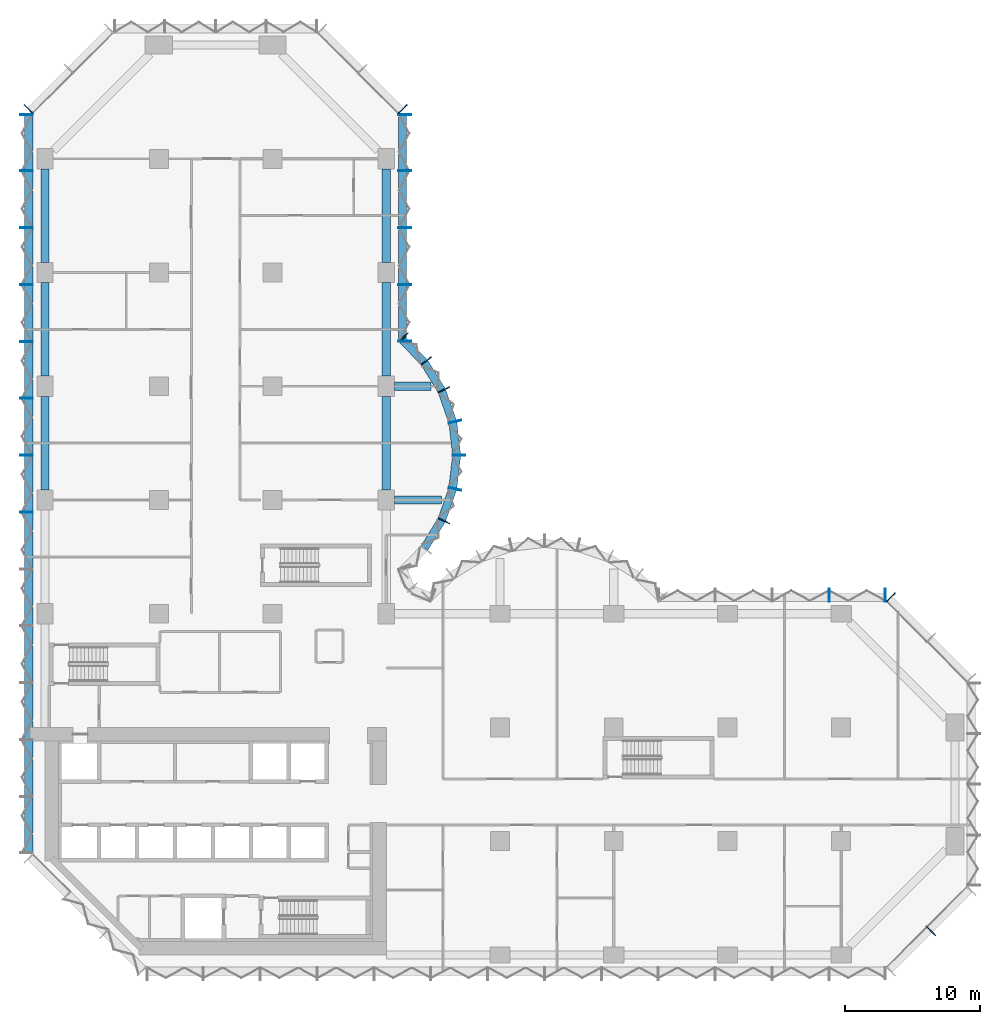
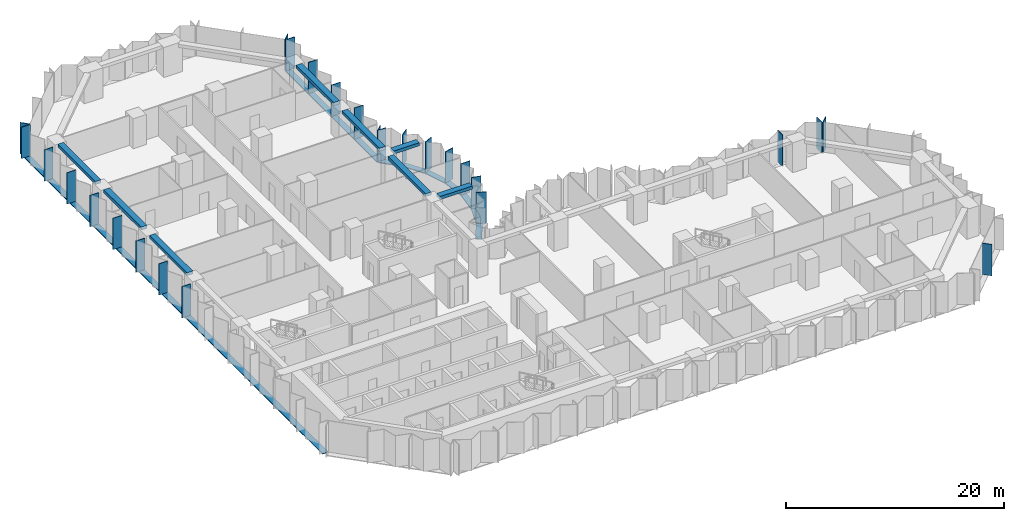
# One storey, part 3 of 15: 35 members, 8 beams, 8 elements without a shape of their own.
"""IFC4 building model written with IfcOpenShell, lengths in metres."""

from ifc_helpers import new_model, si_unit, direction, frame, origin, origin_2d, place, context, subcontext, project, spatial, rectangle, extrude, material, material_profile, profile_set, type_object, element, aggregate, save


model = new_model("IFC4")

# Units and contexts
model_context = context("Model", 3, precision=1e-05, world=origin(), true_north=direction((0.0, 1.0)))
body_context = subcontext(model_context, "Body", "Model", "MODEL_VIEW")
ifc_project = project(units=[si_unit("LENGTHUNIT", "METRE"), si_unit("AREAUNIT", "SQUARE_METRE"), si_unit("VOLUMEUNIT", "CUBIC_METRE"), si_unit("PLANEANGLEUNIT", "RADIAN"), si_unit("MASSUNIT", "GRAM", prefix="KILO")], contexts=[model_context])

# Site, building, storey
site_placement = place(None, origin())
site = spatial("IfcSite", under=ifc_project, at=site_placement, CompositionType="ELEMENT")
building_placement = place(site_placement, origin())
building = spatial("IfcBuilding", under=site, at=building_placement, Name="Brevane Broadcast Tower", CompositionType="ELEMENT")
storey_placement = place(building_placement, frame((0.0, 0.0, 47.300048828125)))
storey = spatial("IfcBuildingStorey", under=building, at=storey_placement, Name="L09", CompositionType="ELEMENT", Elevation=47.300048828125)

# Curtain wall, member
ifc_material_1 = material(Name="Aluminium 6063-T6 bronze anodised", Category="aluminium")
curtain_wall_type = type_object("IfcCurtainWallType", Name="CW-1 curtain wall", PredefinedType="NOTDEFINED", material=ifc_material_1)
curtain_wall_1_placement = place(storey_placement, origin())
curtain_wall_1 = element("IfcCurtainWall", 1, at=curtain_wall_1_placement, inside=storey, type_object=curtain_wall_type, Name="CW-1 typical tilted unit L09 south-east chamfer", PredefinedType="NOTDEFINED")
ifc_material_profile_1 = material_profile(ifc_material_1, rectangle(XDim=0.949951171875, YDim=0.070068359375, at=origin_2d()), Name="RECT 70x950")
ifc_profile_set_1 = profile_set([ifc_material_profile_1], Name="Aluminium 6063-T6 bronze anodised")
member_type_1 = type_object("IfcMemberType", Name="CW-1 mullion 70x950", PredefinedType="MULLION", material=ifc_profile_set_1)
member_1_placement = place(storey_placement, frame((65.435791015625, 1.76416015625, -0.150146484375), z_axis=(0.0, 0.0, 1.0), x_axis=(-0.707106781187, 0.707106781187, 0.0)))
member_1 = element("IfcMember", 2, at=member_1_placement, type_object=member_type_1, Name="CW-1 mullion", PredefinedType="MULLION", context=body_context, shape_type="SweptSolid", body=[
    extrude(rectangle(XDim=0.949951171875, YDim=0.070068359375, at=origin_2d()), origin(), (0.0, 0.0, 1.0), 3.5),
])
aggregate(curtain_wall_1, [member_1])

curtain_wall_2_placement = place(storey_placement, origin())
curtain_wall_2 = element("IfcCurtainWall", 3, at=curtain_wall_2_placement, inside=storey, type_object=curtain_wall_type, Name="CW-1 typical tilted unit L09 north-east chamfer", PredefinedType="NOTDEFINED")
member_2_placement = place(storey_placement, frame((62.460693359375, 26.4111328125, -0.150146484375), z_axis=(0.0, 0.0, 1.0), x_axis=(-0.707106781187, -0.707106781187, 0.0)))
member_2 = element("IfcMember", 4, at=member_2_placement, type_object=member_type_1, Name="CW-1 mullion", PredefinedType="MULLION", context=body_context, shape_type="SweptSolid", body=[
    extrude(rectangle(XDim=0.949951171875, YDim=0.070068359375, at=origin_2d()), origin(), (0.0, 0.0, 1.0), 3.5),
])
aggregate(curtain_wall_2, [member_2])

# Curtain wall, members
curtain_wall_3_placement = place(storey_placement, origin())
curtain_wall_3 = element("IfcCurtainWall", 5, at=curtain_wall_3_placement, inside=storey, type_object=curtain_wall_type, Name="CW-1 typical tilted unit L09 east arm north face", PredefinedType="NOTDEFINED")
member_3_placement = place(storey_placement, frame((62.06494140625, 26.574951171875, -0.150146484375), z_axis=(0.0, 0.0, 1.0), x_axis=(0.0, -1.0, 0.0)))
member_3 = element("IfcMember", 6, at=member_3_placement, type_object=member_type_1, Name="CW-1 mullion", PredefinedType="MULLION", context=body_context, shape_type="SweptSolid", body=[
    extrude(rectangle(XDim=0.949951171875, YDim=0.070068359375, at=origin_2d()), origin(), (0.0, 0.0, 1.0), 3.5),
])
member_4_placement = place(storey_placement, frame((57.89990234375, 26.574951171875, -0.150146484375), z_axis=(0.0, 0.0, 1.0), x_axis=(0.0, -1.0, 0.0)))
member_4 = element("IfcMember", 7, at=member_4_placement, type_object=member_type_1, Name="CW-1 mullion", PredefinedType="MULLION", context=body_context, shape_type="SweptSolid", body=[
    extrude(rectangle(XDim=0.949951171875, YDim=0.070068359375, at=origin_2d()), origin(), (0.0, 0.0, 1.0), 3.5),
])
aggregate(curtain_wall_3, [member_3, member_4])

curtain_wall_4_placement = place(storey_placement, origin())
curtain_wall_4 = element("IfcCurtainWall", 8, at=curtain_wall_4_placement, inside=storey, type_object=curtain_wall_type, Name="CW-1 typical tilted unit L09 north bow", PredefinedType="NOTDEFINED")
member_5_placement = place(storey_placement, frame((29.4580078125, 32.05322265625, -0.150146484375), z_axis=(0.0, 0.0, 1.0), x_axis=(-0.902860508933, 0.429933601163, 0.0)))
member_5 = element("IfcMember", 9, at=member_5_placement, type_object=member_type_1, Name="CW-1 mullion", PredefinedType="MULLION", context=body_context, shape_type="SweptSolid", body=[
    extrude(rectangle(XDim=0.949951171875, YDim=0.070068359375, at=origin_2d()), origin(), (0.0, 0.0, 1.0), 3.5),
])
member_6_placement = place(storey_placement, frame((30.28076171875, 34.411865234375, -0.150146484375), z_axis=(0.0, 0.0, 1.0), x_axis=(-0.974403430594, 0.224806482215, 0.0)))
member_6 = element("IfcMember", 10, at=member_6_placement, type_object=member_type_1, Name="CW-1 mullion", PredefinedType="MULLION", context=body_context, shape_type="SweptSolid", body=[
    extrude(rectangle(XDim=0.949951171875, YDim=0.070068359375, at=origin_2d()), origin(), (0.0, 0.0, 1.0), 3.5),
])
member_7_placement = place(storey_placement, frame((30.574951171875, 36.89990234375, -0.150146484375), z_axis=(0.0, 0.0, 1.0), x_axis=(-1.0, 0.0, 0.0)))
member_7 = element("IfcMember", 11, at=member_7_placement, type_object=member_type_1, Name="CW-1 mullion", PredefinedType="MULLION", context=body_context, shape_type="SweptSolid", body=[
    extrude(rectangle(XDim=0.949951171875, YDim=0.070068359375, at=origin_2d()), origin(), (0.0, 0.0, 1.0), 3.5),
])
member_8_placement = place(storey_placement, frame((30.28076171875, 39.38818359375, -0.150146484375), z_axis=(0.0, 0.0, 1.0), x_axis=(-0.974403430594, -0.224806482215, 0.0)))
member_8 = element("IfcMember", 12, at=member_8_placement, type_object=member_type_1, Name="CW-1 mullion", PredefinedType="MULLION", context=body_context, shape_type="SweptSolid", body=[
    extrude(rectangle(XDim=0.949951171875, YDim=0.070068359375, at=origin_2d()), origin(), (0.0, 0.0, 1.0), 3.5),
])
member_9_placement = place(storey_placement, frame((29.4580078125, 41.746826171875, -0.150146484375), z_axis=(0.0, 0.0, 1.0), x_axis=(-0.902860508933, -0.429933601163, 0.0)))
member_9 = element("IfcMember", 13, at=member_9_placement, type_object=member_type_1, Name="CW-1 mullion", PredefinedType="MULLION", context=body_context, shape_type="SweptSolid", body=[
    extrude(rectangle(XDim=0.949951171875, YDim=0.070068359375, at=origin_2d()), origin(), (0.0, 0.0, 1.0), 3.5),
])
member_10_placement = place(storey_placement, frame((28.1455078125, 43.8720703125, -0.150146484375), z_axis=(0.0, 0.0, 1.0), x_axis=(-0.788706642853, -0.614769738617, 0.0)))
member_10 = element("IfcMember", 14, at=member_10_placement, type_object=member_type_1, Name="CW-1 mullion", PredefinedType="MULLION", context=body_context, shape_type="SweptSolid", body=[
    extrude(rectangle(XDim=0.949951171875, YDim=0.070068359375, at=origin_2d()), origin(), (0.0, 0.0, 1.0), 3.5),
])
member_11_placement = place(storey_placement, frame((26.465087890625, 45.60595703125, -0.150146484375), z_axis=(0.0, 0.0, 1.0), x_axis=(-0.717253872699, -0.696811941702, 0.0)))
member_11 = element("IfcMember", 15, at=member_11_placement, type_object=member_type_1, Name="CW-1 mullion", PredefinedType="MULLION", context=body_context, shape_type="SweptSolid", body=[
    extrude(rectangle(XDim=0.949951171875, YDim=0.070068359375, at=origin_2d()), origin(), (0.0, 0.0, 1.0), 3.5),
])

curtain_wall_5_placement = place(storey_placement, origin())
curtain_wall_5 = element("IfcCurtainWall", 16, at=curtain_wall_5_placement, inside=storey, type_object=curtain_wall_type, Name="CW-1 typical tilted unit L09 north arm east face", PredefinedType="NOTDEFINED")
member_12_placement = place(storey_placement, frame((26.574951171875, 45.3349609375, -0.150146484375), z_axis=(0.0, 0.0, 1.0), x_axis=(-1.0, 0.0, 0.0)))
member_12 = element("IfcMember", 17, at=member_12_placement, type_object=member_type_1, Name="CW-1 mullion", PredefinedType="MULLION", context=body_context, shape_type="SweptSolid", body=[
    extrude(rectangle(XDim=0.949951171875, YDim=0.070068359375, at=origin_2d()), origin(), (0.0, 0.0, 1.0), 3.5),
])
member_13_placement = place(storey_placement, frame((26.574951171875, 49.5, -0.150146484375), z_axis=(0.0, 0.0, 1.0), x_axis=(-1.0, 0.0, 0.0)))
member_13 = element("IfcMember", 18, at=member_13_placement, type_object=member_type_1, Name="CW-1 mullion", PredefinedType="MULLION", context=body_context, shape_type="SweptSolid", body=[
    extrude(rectangle(XDim=0.949951171875, YDim=0.070068359375, at=origin_2d()), origin(), (0.0, 0.0, 1.0), 3.5),
])
member_14_placement = place(storey_placement, frame((26.574951171875, 53.699951171875, -0.150146484375), z_axis=(0.0, 0.0, 1.0), x_axis=(-1.0, 0.0, 0.0)))
member_14 = element("IfcMember", 19, at=member_14_placement, type_object=member_type_1, Name="CW-1 mullion", PredefinedType="MULLION", context=body_context, shape_type="SweptSolid", body=[
    extrude(rectangle(XDim=0.949951171875, YDim=0.070068359375, at=origin_2d()), origin(), (0.0, 0.0, 1.0), 3.5),
])
member_15_placement = place(storey_placement, frame((26.574951171875, 57.89990234375, -0.150146484375), z_axis=(0.0, 0.0, 1.0), x_axis=(-1.0, 0.0, 0.0)))
member_15 = element("IfcMember", 20, at=member_15_placement, type_object=member_type_1, Name="CW-1 mullion", PredefinedType="MULLION", context=body_context, shape_type="SweptSolid", body=[
    extrude(rectangle(XDim=0.949951171875, YDim=0.070068359375, at=origin_2d()), origin(), (0.0, 0.0, 1.0), 3.5),
])
member_16_placement = place(storey_placement, frame((26.574951171875, 62.06494140625, -0.150146484375), z_axis=(0.0, 0.0, 1.0), x_axis=(-1.0, 0.0, 0.0)))
member_16 = element("IfcMember", 21, at=member_16_placement, type_object=member_type_1, Name="CW-1 mullion", PredefinedType="MULLION", context=body_context, shape_type="SweptSolid", body=[
    extrude(rectangle(XDim=0.949951171875, YDim=0.070068359375, at=origin_2d()), origin(), (0.0, 0.0, 1.0), 3.5),
])

# Curtain wall, member
curtain_wall_6_placement = place(storey_placement, origin())
curtain_wall_6 = element("IfcCurtainWall", 22, at=curtain_wall_6_placement, inside=storey, type_object=curtain_wall_type, Name="CW-1 typical tilted unit L09 north arm north-east chamfer", PredefinedType="NOTDEFINED")
member_17_placement = place(storey_placement, frame((26.4111328125, 62.460693359375, -0.150146484375), z_axis=(0.0, 0.0, 1.0), x_axis=(-0.707106781187, -0.707106781187, 0.0)))
member_17 = element("IfcMember", 23, at=member_17_placement, type_object=member_type_1, Name="CW-1 mullion", PredefinedType="MULLION", context=body_context, shape_type="SweptSolid", body=[
    extrude(rectangle(XDim=0.949951171875, YDim=0.070068359375, at=origin_2d()), origin(), (0.0, 0.0, 1.0), 3.5),
])
aggregate(curtain_wall_6, [member_17])

curtain_wall_7_placement = place(storey_placement, origin())
curtain_wall_7 = element("IfcCurtainWall", 24, at=curtain_wall_7_placement, inside=storey, type_object=curtain_wall_type, Name="CW-1 typical tilted unit L09 north-west chamfer", PredefinedType="NOTDEFINED")
member_18_placement = place(storey_placement, frame((-1.211181640625, 62.460693359375, -0.150146484375), z_axis=(0.0, 0.0, 1.0), x_axis=(0.707106781187, -0.707106781187, 0.0)))
member_18 = element("IfcMember", 25, at=member_18_placement, type_object=member_type_1, Name="CW-1 mullion", PredefinedType="MULLION", context=body_context, shape_type="SweptSolid", body=[
    extrude(rectangle(XDim=0.949951171875, YDim=0.070068359375, at=origin_2d()), origin(), (0.0, 0.0, 1.0), 3.5),
])
aggregate(curtain_wall_7, [member_18])

# Curtain wall, members
curtain_wall_8_placement = place(storey_placement, origin())
curtain_wall_8 = element("IfcCurtainWall", 26, at=curtain_wall_8_placement, inside=storey, type_object=curtain_wall_type, Name="CW-1 typical tilted unit L09 west face", PredefinedType="NOTDEFINED")
member_19_placement = place(storey_placement, frame((-1.375, 62.06494140625, -0.150146484375), z_axis=(0.0, 0.0, 1.0), x_axis=(1.0, 0.0, 0.0)))
member_19 = element("IfcMember", 27, at=member_19_placement, type_object=member_type_1, Name="CW-1 mullion", PredefinedType="MULLION", context=body_context, shape_type="SweptSolid", body=[
    extrude(rectangle(XDim=0.949951171875, YDim=0.070068359375, at=origin_2d()), origin(), (0.0, 0.0, 1.0), 3.5),
])
member_20_placement = place(storey_placement, frame((-1.375, 57.89990234375, -0.150146484375), z_axis=(0.0, 0.0, 1.0), x_axis=(1.0, 0.0, 0.0)))
member_20 = element("IfcMember", 28, at=member_20_placement, type_object=member_type_1, Name="CW-1 mullion", PredefinedType="MULLION", context=body_context, shape_type="SweptSolid", body=[
    extrude(rectangle(XDim=0.949951171875, YDim=0.070068359375, at=origin_2d()), origin(), (0.0, 0.0, 1.0), 3.5),
])
member_21_placement = place(storey_placement, frame((-1.375, 53.699951171875, -0.150146484375), z_axis=(0.0, 0.0, 1.0), x_axis=(1.0, 0.0, 0.0)))
member_21 = element("IfcMember", 29, at=member_21_placement, type_object=member_type_1, Name="CW-1 mullion", PredefinedType="MULLION", context=body_context, shape_type="SweptSolid", body=[
    extrude(rectangle(XDim=0.949951171875, YDim=0.070068359375, at=origin_2d()), origin(), (0.0, 0.0, 1.0), 3.5),
])
member_22_placement = place(storey_placement, frame((-1.375, 49.5, -0.150146484375), z_axis=(0.0, 0.0, 1.0), x_axis=(1.0, 0.0, 0.0)))
member_22 = element("IfcMember", 30, at=member_22_placement, type_object=member_type_1, Name="CW-1 mullion", PredefinedType="MULLION", context=body_context, shape_type="SweptSolid", body=[
    extrude(rectangle(XDim=0.949951171875, YDim=0.070068359375, at=origin_2d()), origin(), (0.0, 0.0, 1.0), 3.5),
])
member_23_placement = place(storey_placement, frame((-1.375, 45.300048828125, -0.150146484375), z_axis=(0.0, 0.0, 1.0), x_axis=(1.0, 0.0, 0.0)))
member_23 = element("IfcMember", 31, at=member_23_placement, type_object=member_type_1, Name="CW-1 mullion", PredefinedType="MULLION", context=body_context, shape_type="SweptSolid", body=[
    extrude(rectangle(XDim=0.949951171875, YDim=0.070068359375, at=origin_2d()), origin(), (0.0, 0.0, 1.0), 3.5),
])
member_24_placement = place(storey_placement, frame((-1.375, 41.10009765625, -0.150146484375), z_axis=(0.0, 0.0, 1.0), x_axis=(1.0, 0.0, 0.0)))
member_24 = element("IfcMember", 32, at=member_24_placement, type_object=member_type_1, Name="CW-1 mullion", PredefinedType="MULLION", context=body_context, shape_type="SweptSolid", body=[
    extrude(rectangle(XDim=0.949951171875, YDim=0.070068359375, at=origin_2d()), origin(), (0.0, 0.0, 1.0), 3.5),
])
member_25_placement = place(storey_placement, frame((-1.375, 36.89990234375, -0.150146484375), z_axis=(0.0, 0.0, 1.0), x_axis=(1.0, 0.0, 0.0)))
member_25 = element("IfcMember", 33, at=member_25_placement, type_object=member_type_1, Name="CW-1 mullion", PredefinedType="MULLION", context=body_context, shape_type="SweptSolid", body=[
    extrude(rectangle(XDim=0.949951171875, YDim=0.070068359375, at=origin_2d()), origin(), (0.0, 0.0, 1.0), 3.5),
])
member_26_placement = place(storey_placement, frame((-1.375, 32.699951171875, -0.150146484375), z_axis=(0.0, 0.0, 1.0), x_axis=(1.0, 0.0, 0.0)))
member_26 = element("IfcMember", 34, at=member_26_placement, type_object=member_type_1, Name="CW-1 mullion", PredefinedType="MULLION", context=body_context, shape_type="SweptSolid", body=[
    extrude(rectangle(XDim=0.949951171875, YDim=0.070068359375, at=origin_2d()), origin(), (0.0, 0.0, 1.0), 3.5),
])

# Member
ifc_material_profile_2 = material_profile(ifc_material_1, rectangle(XDim=0.60009765625, YDim=0.10009765625, at=origin_2d()), Name="RECT 100x600")
ifc_profile_set_2 = profile_set([ifc_material_profile_2], Name="Aluminium 6063-T6 bronze anodised")
member_type_2 = type_object("IfcMemberType", Name="CW-1 transom 100x600", PredefinedType="USERDEFINED", material=ifc_profile_set_2)
member_27_placement = place(storey_placement, frame((28.023193359375, 30.0576171875, -0.199951171875), z_axis=(0.525427766759, 0.850838211365, 0.0), x_axis=(-0.850838211365, 0.525427766759, 0.0)))
member_27 = element("IfcMember", 35, at=member_27_placement, type_object=member_type_2, Name="CW-1 transom", ObjectType="TRANSOM", PredefinedType="USERDEFINED", context=body_context, shape_type="SweptSolid", body=[
    extrude(rectangle(XDim=0.60009765625, YDim=0.10009765625, at=origin_2d()), origin(), (0.0, 0.0, 1.0), 2.394775390625),
])

member_28_placement = place(storey_placement, frame((29.314208984375, 32.163818359375, -0.199951171875), z_axis=(0.329378497041, 0.944197969542, 0.0), x_axis=(-0.944197969542, 0.329378497041, 0.0)))
member_28 = element("IfcMember", 36, at=member_28_placement, type_object=member_type_2, Name="CW-1 transom", ObjectType="TRANSOM", PredefinedType="USERDEFINED", context=body_context, shape_type="SweptSolid", body=[
    extrude(rectangle(XDim=0.60009765625, YDim=0.10009765625, at=origin_2d()), origin(), (0.0, 0.0, 1.0), 2.394775390625),
])

member_29_placement = place(storey_placement, frame((30.117431640625, 34.499755859375, -0.199951171875), z_axis=(0.117603307202, 0.993060653805, 0.0), x_axis=(-0.993060653805, 0.117603307202, 0.0)))
member_29 = element("IfcMember", 37, at=member_29_placement, type_object=member_type_2, Name="CW-1 transom", ObjectType="TRANSOM", PredefinedType="USERDEFINED", context=body_context, shape_type="SweptSolid", body=[
    extrude(rectangle(XDim=0.60009765625, YDim=0.10009765625, at=origin_2d()), origin(), (0.0, 0.0, 1.0), 2.397705078125),
])

member_30_placement = place(storey_placement, frame((30.3994140625, 36.9189453125, -0.199951171875), z_axis=(-0.117591417, 0.993062061831, 0.0), x_axis=(-0.993062061831, -0.117591417, 0.0)))
member_30 = element("IfcMember", 38, at=member_30_placement, type_object=member_type_2, Name="CW-1 transom", ObjectType="TRANSOM", PredefinedType="USERDEFINED", context=body_context, shape_type="SweptSolid", body=[
    extrude(rectangle(XDim=0.60009765625, YDim=0.10009765625, at=origin_2d()), origin(), (0.0, 0.0, 1.0), 2.39794921875),
])

member_31_placement = place(storey_placement, frame((30.10302734375, 39.375, -0.199951171875), z_axis=(-0.329378497041, 0.944197969542, 0.0), x_axis=(-0.944197969542, -0.329378497041, 0.0)))
member_31 = element("IfcMember", 39, at=member_31_placement, type_object=member_type_2, Name="CW-1 transom", ObjectType="TRANSOM", PredefinedType="USERDEFINED", context=body_context, shape_type="SweptSolid", body=[
    extrude(rectangle(XDim=0.60009765625, YDim=0.10009765625, at=origin_2d()), origin(), (0.0, 0.0, 1.0), 2.394775390625),
])

member_32_placement = place(storey_placement, frame((29.281494140625, 41.704833984375, -0.199951171875), z_axis=(-0.525473345162, 0.850810063131, 0.0), x_axis=(-0.850810063131, -0.525473345162, 0.0)))
member_32 = element("IfcMember", 40, at=member_32_placement, type_object=member_type_2, Name="CW-1 transom", ObjectType="TRANSOM", PredefinedType="USERDEFINED", context=body_context, shape_type="SweptSolid", body=[
    extrude(rectangle(XDim=0.60009765625, YDim=0.10009765625, at=origin_2d()), origin(), (0.0, 0.0, 1.0), 2.39453125),
])

member_33_placement = place(storey_placement, frame((27.974365234375, 43.800537109375, -0.199951171875), z_axis=(-0.696823999134, 0.71724215871, 0.0), x_axis=(-0.71724215871, -0.696823999134, 0.0)))
member_33 = element("IfcMember", 41, at=member_33_placement, type_object=member_type_2, Name="CW-1 transom", ObjectType="TRANSOM", PredefinedType="USERDEFINED", context=body_context, shape_type="SweptSolid", body=[
    extrude(rectangle(XDim=0.60009765625, YDim=0.10009765625, at=origin_2d()), origin(), (0.0, 0.0, 1.0), 2.247802734375),
])

aggregate(curtain_wall_4, [member_5, member_6, member_7, member_8, member_9, member_10, member_11, member_27, member_28, member_29, member_30, member_31, member_32, member_33])

member_34_placement = place(storey_placement, frame((26.39990234375, 45.300048828125, -0.199951171875), z_axis=(0.0, 1.0, 0.0), x_axis=(-1.0, 0.0, 0.0)))
member_34 = element("IfcMember", 42, at=member_34_placement, type_object=member_type_2, Name="CW-1 transom", ObjectType="TRANSOM", PredefinedType="USERDEFINED", context=body_context, shape_type="SweptSolid", body=[
    extrude(rectangle(XDim=0.60009765625, YDim=0.10009765625, at=origin_2d()), origin(), (0.0, 0.0, 1.0), 16.800048828125),
])

aggregate(curtain_wall_5, [member_12, member_13, member_14, member_15, member_16, member_34])

member_35_placement = place(storey_placement, frame((-1.199951171875, 62.10009765625, -0.199951171875), z_axis=(0.0, -1.0, 0.0), x_axis=(1.0, 0.0, 0.0)))
member_35 = element("IfcMember", 43, at=member_35_placement, type_object=member_type_2, Name="CW-1 transom", ObjectType="TRANSOM", PredefinedType="USERDEFINED", context=body_context, shape_type="SweptSolid", body=[
    extrude(rectangle(XDim=0.60009765625, YDim=0.10009765625, at=origin_2d()), origin(), (0.0, 0.0, 1.0), 54.60009765625),
])

aggregate(curtain_wall_8, [member_19, member_20, member_21, member_22, member_23, member_24, member_25, member_26, member_35])

# Beams
ifc_material_2 = material(Name="Concrete C40/50", Category="concrete")
ifc_material_profile_3 = material_profile(ifc_material_2, rectangle(XDim=0.60009765625, YDim=0.35009765625, at=origin_2d()), Name="RC 600x350")
ifc_profile_set_3 = profile_set([ifc_material_profile_3], Name="Concrete C40/50")
beam_type_1 = type_object("IfcBeamType", Name="RC BRACKET BEAM 600x350 C40/50", PredefinedType="BEAM", material=ifc_profile_set_3)
beam_1_placement = place(storey_placement, frame((25.800048828125, 33.60009765625, 3.175048828125), z_axis=(1.0, 0.0, 0.0), x_axis=(0.0, 1.0, 0.0)))
element("IfcBeam", 44, at=beam_1_placement, inside=storey, type_object=beam_type_1, Name="EB2 L09-1", PredefinedType="BEAM", context=body_context, shape_type="SweptSolid", body=[
    extrude(rectangle(XDim=0.60009765625, YDim=0.35009765625, at=origin_2d()), origin(), (0.0, 0.0, 1.0), 3.4619140625),
])
beam_2_placement = place(storey_placement, frame((25.800048828125, 42.0, 3.175048828125), z_axis=(1.0, 0.0, 0.0), x_axis=(0.0, 1.0, 0.0)))
element("IfcBeam", 45, at=beam_2_placement, inside=storey, type_object=beam_type_1, Name="EB2 L09-2", PredefinedType="BEAM", context=body_context, shape_type="SweptSolid", body=[
    extrude(rectangle(XDim=0.60009765625, YDim=0.35009765625, at=origin_2d()), origin(), (0.0, 0.0, 1.0), 2.71142578125),
])
ifc_material_profile_4 = material_profile(ifc_material_2, rectangle(XDim=0.60009765625, YDim=0.35009765625, at=origin_2d()), Name="RC 600x350")
ifc_profile_set_4 = profile_set([ifc_material_profile_4], Name="Concrete C40/50")
beam_type_2 = type_object("IfcBeamType", Name="RC SPANDREL BEAM 600x350 C40/50", PredefinedType="SPANDREL", material=ifc_profile_set_4)
for number, where, z_axis, x_axis, name in (
    (46, (25.199951171875, 34.35009765625, 3.175048828125), (0.0, 1.0, 0.0), (-1.0, 0.0, 0.0), "EB1 L09-13"),
    (47, (25.199951171875, 42.75, 3.175048828125), (0.0, 1.0, 0.0), (-1.0, 0.0, 0.0), "EB1 L09-14"),
):
    element("IfcBeam", number, at=place(storey_placement, frame(where, z_axis=z_axis, x_axis=x_axis)), inside=storey, type_object=beam_type_2, Name=name, PredefinedType="SPANDREL", context=body_context, shape_type="SweptSolid", body=[
        extrude(rectangle(XDim=0.60009765625, YDim=0.35009765625, at=origin_2d()), origin(), (0.0, 0.0, 1.0), 6.89990234375),
    ])
for number, where, z_axis, x_axis, name in (
    (48, (25.199951171875, 51.14990234375, 3.175048828125), (0.0, 1.0, 0.0), (-1.0, 0.0, 0.0), "EB1 L09-15"),
    (49, (0.0, 58.050048828125, 3.175048828125), (0.0, -1.0, 0.0), (1.0, 0.0, 0.0), "EB1 L09-19"),
):
    element("IfcBeam", number, at=place(storey_placement, frame(where, z_axis=z_axis, x_axis=x_axis)), inside=storey, type_object=beam_type_2, Name=name, PredefinedType="SPANDREL", context=body_context, shape_type="SweptSolid", body=[
        extrude(rectangle(XDim=0.60009765625, YDim=0.35009765625, at=origin_2d()), origin(), (0.0, 0.0, 1.0), 6.900146484375),
    ])
for number, where, z_axis, x_axis, name in (
    (50, (0.0, 49.64990234375, 3.175048828125), (0.0, -1.0, 0.0), (1.0, 0.0, 0.0), "EB1 L09-20"),
    (51, (0.0, 41.25, 3.175048828125), (0.0, -1.0, 0.0), (1.0, 0.0, 0.0), "EB1 L09-21"),
):
    element("IfcBeam", number, at=place(storey_placement, frame(where, z_axis=z_axis, x_axis=x_axis)), inside=storey, type_object=beam_type_2, Name=name, PredefinedType="SPANDREL", context=body_context, shape_type="SweptSolid", body=[
        extrude(rectangle(XDim=0.60009765625, YDim=0.35009765625, at=origin_2d()), origin(), (0.0, 0.0, 1.0), 6.89990234375),
    ])

save(model, "model.ifc")
